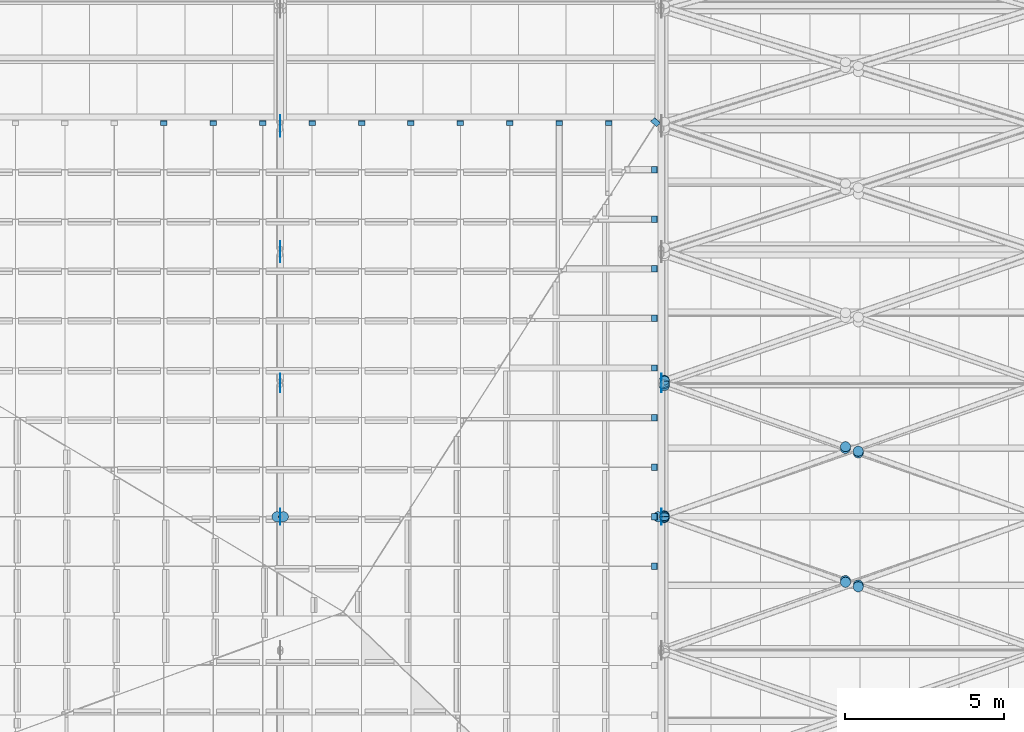
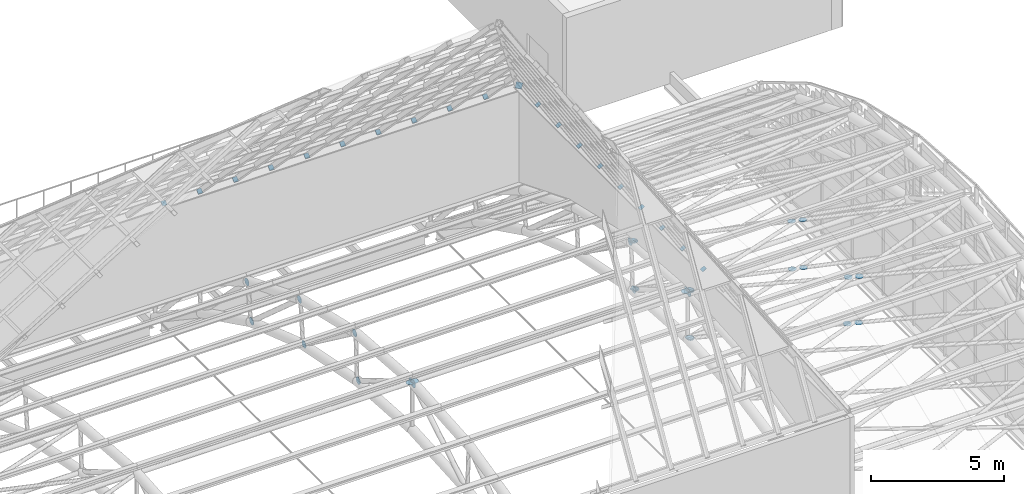
# One storey, part 99 of 110: 55 discrete accessories.
"""IFC4 building model written with IfcOpenShell, lengths in metres."""

from ifc_helpers import new_model, si_unit, direction, frame, origin, origin_2d, place, context, subcontext, project, spatial, rectangle, circle, extrude, material, layer, layer_set, type_object, element, save


model = new_model("IFC4")

# Units and contexts
model_context = context("Model", 3, precision=1e-05, world=origin(), true_north=direction((0.0, 1.0)))
body_context = subcontext(model_context, "Body", "Model", "MODEL_VIEW")
ifc_project = project(units=[si_unit("LENGTHUNIT", "METRE"), si_unit("AREAUNIT", "SQUARE_METRE"), si_unit("VOLUMEUNIT", "CUBIC_METRE"), si_unit("PLANEANGLEUNIT", "RADIAN"), si_unit("MASSUNIT", "GRAM", prefix="KILO")], contexts=[model_context])

# Site, building, storey
site_placement = place(None, origin())
site = spatial("IfcSite", under=ifc_project, at=site_placement, CompositionType="ELEMENT")
building_placement = place(site_placement, origin())
building = spatial("IfcBuilding", under=site, at=building_placement, Name="Windward Yard Aquatics Centre", CompositionType="ELEMENT")
storey_placement = place(building_placement, frame((0.0, 0.0, 22.60009765625)))
storey = spatial("IfcBuildingStorey", under=building, at=storey_placement, Name="L05", CompositionType="ELEMENT", Elevation=22.60009765625)

# Discrete accessories
ifc_material = material(Name="Steel S355", Category="steel")
ifc_layer_1 = layer(ifc_material, 0.010009765625)
ifc_layer_set_1 = layer_set([ifc_layer_1], Name="End cap plate 10 mm RHS203.2x203.2x9.5")
discrete_accessory_type_1 = type_object("IfcDiscreteAccessoryType", Name="End cap plate 10 mm RHS203.2x203.2x9.5", PredefinedType="USERDEFINED", material=ifc_layer_set_1)
for number, where, z_axis, x_axis, name in (
    (1, (131.788330078125, 67.24462890625, 10.813232421875), (-0.532171545218, 0.0, 0.846636549211), (0.0, -1.0, 0.0), "End cap"),
    (2, (117.891357421875, 73.3974609375, 10.791259765625), (0.0, -0.68231825036, 0.731055268243), (1.0, 0.0, 0.0), "End cap"),
    (3, (130.343505859375, 73.3974609375, 10.791259765625), (0.0, -0.68231825036, 0.731055268243), (1.0, 0.0, 0.0), "End cap"),
    (4, (125.673828125, 73.3974609375, 10.791259765625), (0.0, -0.68231825036, 0.731055268243), (1.0, 0.0, 0.0), "End cap"),
    (5, (116.334716796875, 73.3974609375, 10.791259765625), (0.0, -0.68231825036, 0.731055268243), (1.0, 0.0, 0.0), "End cap"),
    (6, (131.788330078125, 59.438720703125, 10.813232421875), (-0.532171545218, 0.0, 0.846636549211), (0.0, -1.0, 0.0), "End cap"),
    (7, (121.00439453125, 73.3974609375, 10.791259765625), (0.0, -0.68231825036, 0.731055268243), (1.0, 0.0, 0.0), "End cap"),
    (8, (131.788330078125, 70.3671875, 10.813232421875), (-0.532171545218, 0.0, 0.846636549211), (0.0, -1.0, 0.0), "End cap"),
    (9, (124.117431640625, 73.3974609375, 10.791259765625), (0.0, -0.68231825036, 0.731055268243), (1.0, 0.0, 0.0), "End cap"),
    (10, (131.788330078125, 61.0, 10.813232421875), (-0.532171545218, 0.0, 0.846636549211), (0.0, -1.0, 0.0), "End cap"),
    (11, (131.788330078125, 62.561279296875, 10.813232421875), (-0.532171545218, 0.0, 0.846636549211), (0.0, -1.0, 0.0), "End cap"),
    (12, (131.788330078125, 65.68359375, 10.813232421875), (-0.532171545218, 0.0, 0.846636549211), (0.0, -1.0, 0.0), "End cap"),
    (13, (131.788330078125, 68.805908203125, 10.813232421875), (-0.532171545218, 0.0, 0.846636549211), (0.0, -1.0, 0.0), "End cap"),
    (14, (122.560791015625, 73.3974609375, 10.791259765625), (0.0, -0.68231825036, 0.731055268243), (1.0, 0.0, 0.0), "End cap"),
    (15, (131.788330078125, 71.92822265625, 10.813232421875), (-0.532171545218, 0.0, 0.846636549211), (0.0, -1.0, 0.0), "End cap"),
    (16, (119.44775390625, 73.3974609375, 10.791259765625), (0.0, -0.68231825036, 0.731055268243), (1.0, 0.0, 0.0), "End cap"),
    (17, (127.23046875, 73.3974609375, 10.791259765625), (0.0, -0.68231825036, 0.731055268243), (1.0, 0.0, 0.0), "End cap"),
    (18, (128.787109375, 73.3974609375, 10.791259765625), (0.0, -0.68231825036, 0.731055268243), (1.0, 0.0, 0.0), "End cap"),
    (19, (131.788330078125, 64.122314453125, 10.813232421875), (-0.532171545218, 0.0, 0.846636549211), (0.0, -1.0, 0.0), "End cap"),
):
    element("IfcDiscreteAccessory", number, at=place(storey_placement, frame(where, z_axis=z_axis, x_axis=x_axis)), inside=storey, type_object=discrete_accessory_type_1, Name=name, ObjectType="END CAP", PredefinedType="USERDEFINED", context=body_context, shape_type="SweptSolid", body=[
        extrude(rectangle(XDim=0.203125, YDim=0.203125, at=origin_2d()), origin(), (0.0, 0.0, 1.0), 0.010009765625),
    ])
ifc_layer_2 = layer(ifc_material, 0.010009765625)
ifc_layer_set_2 = layer_set([ifc_layer_2], Name="End cap plate 10 mm RHS254x254x15.9")
discrete_accessory_type_2 = type_object("IfcDiscreteAccessoryType", Name="End cap plate 10 mm RHS254x254x15.9", PredefinedType="USERDEFINED", material=ifc_layer_set_2)
discrete_accessory_placement = place(storey_placement, frame((131.823486328125, 73.427734375, 10.771728515625), z_axis=(-0.413040101137, -0.631708389975, 0.656004866512), x_axis=(0.748571831766, -0.645746073838, -0.150506547399)))
element("IfcDiscreteAccessory", 20, at=discrete_accessory_placement, inside=storey, type_object=discrete_accessory_type_2, Name="End cap", ObjectType="END CAP", PredefinedType="USERDEFINED", context=body_context, shape_type="SweptSolid", body=[
    extrude(rectangle(XDim=0.25390625, YDim=0.25390625, at=origin_2d()), origin(), (0.0, 0.0, 1.0), 0.010009765625),
])
ifc_layer_3 = layer(ifc_material, 0.011962890625)
ifc_layer_set_3 = layer_set([ifc_layer_3], Name="Gusset plate 320 mm disc 12 mm")
discrete_accessory_type_3 = type_object("IfcDiscreteAccessoryType", Name="Gusset plate 320 mm disc 12 mm", PredefinedType="USERDEFINED", material=ifc_layer_set_3)
for number, where, z_axis, x_axis, name in (
    (21, (119.993896484375, 60.9140625, 8.74560546875), (1.0, 0.0, 0.0), (0.0, 1.0, 0.0), "Gusset plate"),
    (22, (119.993896484375, 61.0859375, 8.74560546875), (1.0, 0.0, 0.0), (0.0, 1.0, 0.0), "Gusset plate"),
    (23, (119.993896484375, 65.07470703125, 6.374755859375), (1.0, 0.0, 0.0), (0.0, 1.0, 0.0), "Gusset plate"),
    (24, (119.993896484375, 65.3486328125, 8.41015625), (1.0, 0.0, 0.0), (0.0, 1.0, 0.0), "Gusset plate"),
    (25, (119.993896484375, 69.16943359375, 5.568603515625), (1.0, 0.0, 0.0), (0.0, 1.0, 0.0), "Gusset plate"),
    (26, (119.993896484375, 69.51220703125, 7.4306640625), (1.0, 0.0, 0.0), (0.0, 1.0, 0.0), "Gusset plate"),
    (27, (119.993896484375, 73.122314453125, 4.23291015625), (1.0, 0.0, 0.0), (0.0, 1.0, 0.0), "Gusset plate"),
    (28, (119.993896484375, 73.479736328125, 5.8291015625), (1.0, 0.0, 0.0), (0.0, 1.0, 0.0), "Gusset plate"),
    (29, (131.993896484375, 60.9140625, 8.74560546875), (1.0, 0.0, 0.0), (0.0, 1.0, 0.0), "Gusset plate"),
    (30, (131.993896484375, 61.0859375, 8.74560546875), (1.0, 0.0, 0.0), (0.0, 1.0, 0.0), "Gusset plate"),
    (31, (131.993896484375, 65.07470703125, 6.374755859375), (1.0, 0.0, 0.0), (0.0, 1.0, 0.0), "Gusset plate"),
    (32, (131.993896484375, 65.3486328125, 8.41015625), (1.0, 0.0, 0.0), (0.0, 1.0, 0.0), "Gusset plate"),
):
    element("IfcDiscreteAccessory", number, at=place(storey_placement, frame(where, z_axis=z_axis, x_axis=x_axis)), inside=storey, type_object=discrete_accessory_type_3, Name=name, ObjectType="GUSSET PLATE", PredefinedType="USERDEFINED", context=body_context, shape_type="SweptSolid", body=[
        extrude(circle(Radius=0.159912109375, at=origin_2d()), origin(), (0.0, 0.0, 1.0), 0.01220703125),
    ])
for number, where, z_axis, x_axis, name in (
    (33, (119.89990234375, 61.0, 8.790771484375), (0.0, 0.0, 1.0), (1.0, 0.0, 0.0), "Gusset plate"),
    (34, (120.10009765625, 61.0, 8.790771484375), (0.0, 0.0, 1.0), (1.0, 0.0, 0.0), "Gusset plate"),
    (35, (131.89990234375, 61.0, 8.790771484375), (0.0, 0.0, 1.0), (1.0, 0.0, 0.0), "Gusset plate"),
    (36, (132.10009765625, 61.0, 8.790771484375), (0.0, 0.0, 1.0), (1.0, 0.0, 0.0), "Gusset plate"),
    (37, (132.10009765625, 65.2685546875, 8.4638671875), (0.0, 0.0, 1.0), (1.0, 0.0, 0.0), "Gusset plate"),
    (38, (132.09423828125, 60.966064453125, 8.800048828125), (0.0, 0.081362009455, -0.996684615823), (-1.0, 0.0, 0.0), "Gusset plate"),
    (39, (137.79931640625, 58.9365234375, 8.644775390625), (0.0, 0.081362009455, -0.996684615823), (-1.0, 0.0, 0.0), "Gusset plate"),
    (40, (138.20068359375, 58.7939453125, 8.6337890625), (0.0, 0.081362009455, -0.996684615823), (-1.0, 0.0, 0.0), "Gusset plate"),
    (41, (132.09423828125, 61.033935546875, 8.800048828125), (0.0, -0.081362009455, -0.996684615823), (1.0, 0.0, 0.0), "Gusset plate"),
    (42, (132.09423828125, 65.2353515625, 8.478271484375), (0.0, -0.06111006328, -0.998131033565), (1.0, 0.0, 0.0), "Gusset plate"),
    (43, (137.79931640625, 63.2060546875, 8.6337890625), (0.0, -0.081362009455, -0.996684615823), (1.0, 0.0, 0.0), "Gusset plate"),
    (44, (138.20068359375, 63.0634765625, 8.644775390625), (0.0, -0.081362009455, -0.996684615823), (1.0, 0.0, 0.0), "Gusset plate"),
    (45, (132.09423828125, 65.302490234375, 8.468017578125), (0.0, -0.223376156329, -0.974732318528), (1.0, 0.0, 0.0), "Gusset plate"),
    (46, (132.10009765625, 61.0, 6.5908203125), (0.0, 0.0, 1.0), (1.0, 0.0, 0.0), "Gusset plate"),
    (47, (132.10009765625, 65.16064453125, 6.317626953125), (0.0, 0.0, 1.0), (1.0, 0.0, 0.0), "Gusset plate"),
    (48, (132.094482421875, 60.966796875, 6.6005859375), (0.0, 0.06111006328, -0.998131033565), (-1.0, 0.0, 0.0), "Gusset plate"),
    (49, (137.796142578125, 58.989990234375, 6.470703125), (0.0, 0.06111006328, -0.998131033565), (-1.0, 0.0, 0.0), "Gusset plate"),
    (50, (138.203857421875, 58.8486328125, 6.46142578125), (0.0, 0.06111006328, -0.998131033565), (-1.0, 0.0, 0.0), "Gusset plate"),
    (51, (132.094482421875, 61.033203125, 6.6005859375), (0.0, -0.06111006328, -0.998131033565), (1.0, 0.0, 0.0), "Gusset plate"),
    (52, (132.094482421875, 65.128173828125, 6.331787109375), (0.0, -0.06111006328, -0.998131033565), (1.0, 0.0, 0.0), "Gusset plate"),
    (53, (137.796142578125, 63.1513671875, 6.46142578125), (0.0, -0.06111006328, -0.998131033565), (1.0, 0.0, 0.0), "Gusset plate"),
    (54, (138.203857421875, 63.010009765625, 6.470703125), (0.0, -0.06111006328, -0.998131033565), (1.0, 0.0, 0.0), "Gusset plate"),
    (55, (132.094482421875, 65.19384765625, 6.322998046875), (0.0, -0.18428853505, -0.982872186934), (1.0, 0.0, 0.0), "Gusset plate"),
):
    element("IfcDiscreteAccessory", number, at=place(storey_placement, frame(where, z_axis=z_axis, x_axis=x_axis)), inside=storey, type_object=discrete_accessory_type_3, Name=name, ObjectType="GUSSET PLATE", PredefinedType="USERDEFINED", context=body_context, shape_type="SweptSolid", body=[
        extrude(circle(Radius=0.159912109375, at=origin_2d()), origin(), (0.0, 0.0, 1.0), 0.011962890625),
    ])

save(model, "model.ifc")
